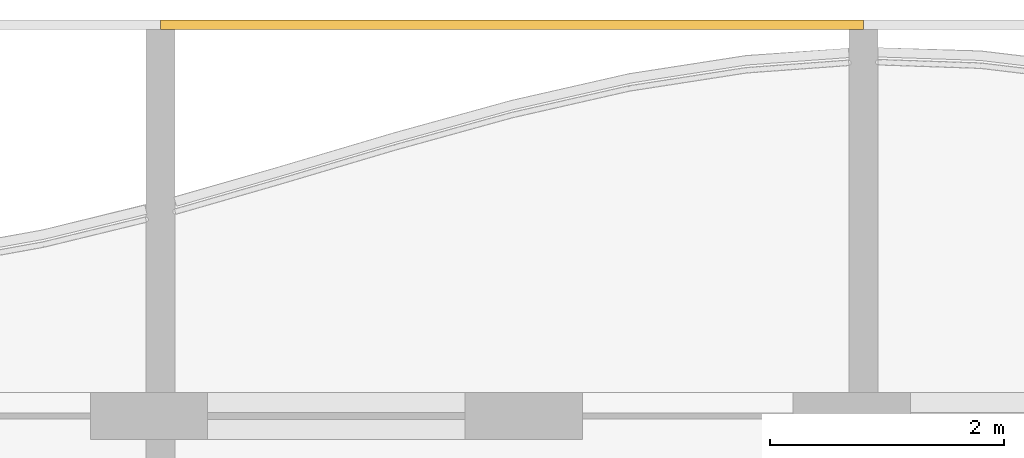
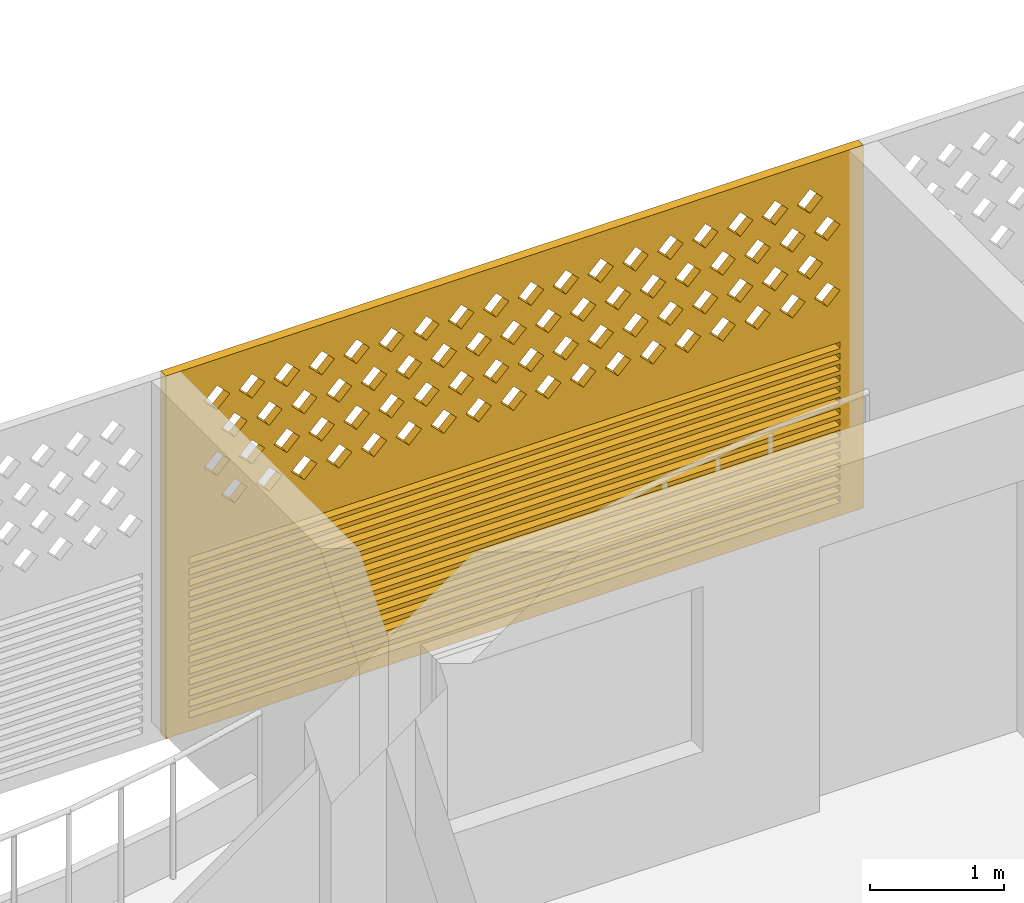
# One storey, part 21 of 29: 1 covering.
"""IFC4 building model written with IfcOpenShell, lengths in metres."""

from ifc_helpers import new_model, si_unit, direction, frame, origin, place, context, subcontext, project, spatial, polyline, outline, extrude, source, transform, mapped, material, material_profile, profile_set, type_object, element, save


model = new_model("IFC4")

# Units and contexts
model_context = context("Model", 3, precision=1e-05, world=origin(), true_north=direction((0.0, 1.0)))
body_context = subcontext(model_context, "Body", "Model", "MODEL_VIEW")
ifc_project = project(units=[si_unit("LENGTHUNIT", "METRE"), si_unit("AREAUNIT", "SQUARE_METRE"), si_unit("VOLUMEUNIT", "CUBIC_METRE"), si_unit("PLANEANGLEUNIT", "RADIAN"), si_unit("MASSUNIT", "GRAM", prefix="KILO")], contexts=[model_context])

# Site, building, storey
site_placement = place(None, origin())
site = spatial("IfcSite", under=ifc_project, at=site_placement, CompositionType="ELEMENT")
building_placement = place(site_placement, origin())
building = spatial("IfcBuilding", under=site, at=building_placement, Name="Poui Terraces", CompositionType="ELEMENT")
storey_placement = place(building_placement, frame((0.0, 0.0, 234.60009765625)))
storey = spatial("IfcBuildingStorey", under=building, at=storey_placement, Name="L65", CompositionType="ELEMENT", Elevation=234.60009765625)

# Covering
ifc_material = material(Name="Terracotta screen", Category="masonry")
ifc_material_profile = material_profile(ifc_material, outline(polyline([(-3.0, -1.64990234375), (3.0, -1.64990234375), (3.0, 1.64990234375), (-3.0, 1.64990234375), (-3.0, -1.64990234375)]), holes=[polyline([(-2.800048828125, 0.39990234375), (-2.68994140625, 0.2900390625), (-2.580078125, 0.39990234375), (-2.68994140625, 0.510009765625), (-2.800048828125, 0.39990234375)]), polyline([(-2.5, 0.39990234375), (-2.389892578125, 0.2900390625), (-2.280029296875, 0.39990234375), (-2.389892578125, 0.510009765625), (-2.5, 0.39990234375)]), polyline([(-2.199951171875, 0.39990234375), (-2.090087890625, 0.2900390625), (-1.97998046875, 0.39990234375), (-2.090087890625, 0.510009765625), (-2.199951171875, 0.39990234375)]), polyline([(-1.89990234375, 0.39990234375), (-1.7900390625, 0.2900390625), (-1.679931640625, 0.39990234375), (-1.7900390625, 0.510009765625), (-1.89990234375, 0.39990234375)]), polyline([(-1.60009765625, 0.39990234375), (-1.489990234375, 0.2900390625), (-1.3798828125, 0.39990234375), (-1.489990234375, 0.510009765625), (-1.60009765625, 0.39990234375)]), polyline([(-1.300048828125, 0.39990234375), (-1.18994140625, 0.2900390625), (-1.080078125, 0.39990234375), (-1.18994140625, 0.510009765625), (-1.300048828125, 0.39990234375)]), polyline([(-1.0, 0.39990234375), (-0.889892578125, 0.2900390625), (-0.780029296875, 0.39990234375), (-0.889892578125, 0.510009765625), (-1.0, 0.39990234375)]), polyline([(-0.699951171875, 0.39990234375), (-0.590087890625, 0.2900390625), (-0.47998046875, 0.39990234375), (-0.590087890625, 0.510009765625), (-0.699951171875, 0.39990234375)]), polyline([(-0.39990234375, 0.39990234375), (-0.2900390625, 0.2900390625), (-0.179931640625, 0.39990234375), (-0.2900390625, 0.510009765625), (-0.39990234375, 0.39990234375)]), polyline([(-0.10009765625, 0.39990234375), (0.010009765625, 0.2900390625), (0.1201171875, 0.39990234375), (0.010009765625, 0.510009765625), (-0.10009765625, 0.39990234375)]), polyline([(0.199951171875, 0.39990234375), (0.31005859375, 0.2900390625), (0.419921875, 0.39990234375), (0.31005859375, 0.510009765625), (0.199951171875, 0.39990234375)]), polyline([(0.5, 0.39990234375), (0.610107421875, 0.2900390625), (0.719970703125, 0.39990234375), (0.610107421875, 0.510009765625), (0.5, 0.39990234375)]), polyline([(0.800048828125, 0.39990234375), (0.909912109375, 0.2900390625), (1.02001953125, 0.39990234375), (0.909912109375, 0.510009765625), (0.800048828125, 0.39990234375)]), polyline([(1.10009765625, 0.39990234375), (1.2099609375, 0.2900390625), (1.320068359375, 0.39990234375), (1.2099609375, 0.510009765625), (1.10009765625, 0.39990234375)]), polyline([(1.39990234375, 0.39990234375), (1.510009765625, 0.2900390625), (1.6201171875, 0.39990234375), (1.510009765625, 0.510009765625), (1.39990234375, 0.39990234375)]), polyline([(1.699951171875, 0.39990234375), (1.81005859375, 0.2900390625), (1.919921875, 0.39990234375), (1.81005859375, 0.510009765625), (1.699951171875, 0.39990234375)]), polyline([(2.0, 0.39990234375), (2.110107421875, 0.2900390625), (2.219970703125, 0.39990234375), (2.110107421875, 0.510009765625), (2.0, 0.39990234375)]), polyline([(2.300048828125, 0.39990234375), (2.409912109375, 0.2900390625), (2.52001953125, 0.39990234375), (2.409912109375, 0.510009765625), (2.300048828125, 0.39990234375)]), polyline([(-2.64990234375, 0.699951171875), (-2.5400390625, 0.590087890625), (-2.429931640625, 0.699951171875), (-2.5400390625, 0.81005859375), (-2.64990234375, 0.699951171875)]), polyline([(-2.35009765625, 0.699951171875), (-2.239990234375, 0.590087890625), (-2.1298828125, 0.699951171875), (-2.239990234375, 0.81005859375), (-2.35009765625, 0.699951171875)]), polyline([(-2.050048828125, 0.699951171875), (-1.93994140625, 0.590087890625), (-1.830078125, 0.699951171875), (-1.93994140625, 0.81005859375), (-2.050048828125, 0.699951171875)]), polyline([(-1.75, 0.699951171875), (-1.639892578125, 0.590087890625), (-1.530029296875, 0.699951171875), (-1.639892578125, 0.81005859375), (-1.75, 0.699951171875)]), polyline([(-1.449951171875, 0.699951171875), (-1.340087890625, 0.590087890625), (-1.22998046875, 0.699951171875), (-1.340087890625, 0.81005859375), (-1.449951171875, 0.699951171875)]), polyline([(-1.14990234375, 0.699951171875), (-1.0400390625, 0.590087890625), (-0.929931640625, 0.699951171875), (-1.0400390625, 0.81005859375), (-1.14990234375, 0.699951171875)]), polyline([(-0.85009765625, 0.699951171875), (-0.739990234375, 0.590087890625), (-0.6298828125, 0.699951171875), (-0.739990234375, 0.81005859375), (-0.85009765625, 0.699951171875)]), polyline([(-0.550048828125, 0.699951171875), (-0.43994140625, 0.590087890625), (-0.330078125, 0.699951171875), (-0.43994140625, 0.81005859375), (-0.550048828125, 0.699951171875)]), polyline([(-0.25, 0.699951171875), (-0.139892578125, 0.590087890625), (-0.030029296875, 0.699951171875), (-0.139892578125, 0.81005859375), (-0.25, 0.699951171875)]), polyline([(0.050048828125, 0.699951171875), (0.159912109375, 0.590087890625), (0.27001953125, 0.699951171875), (0.159912109375, 0.81005859375), (0.050048828125, 0.699951171875)]), polyline([(0.35009765625, 0.699951171875), (0.4599609375, 0.590087890625), (0.570068359375, 0.699951171875), (0.4599609375, 0.81005859375), (0.35009765625, 0.699951171875)]), polyline([(0.64990234375, 0.699951171875), (0.760009765625, 0.590087890625), (0.8701171875, 0.699951171875), (0.760009765625, 0.81005859375), (0.64990234375, 0.699951171875)]), polyline([(0.949951171875, 0.699951171875), (1.06005859375, 0.590087890625), (1.169921875, 0.699951171875), (1.06005859375, 0.81005859375), (0.949951171875, 0.699951171875)]), polyline([(1.25, 0.699951171875), (1.360107421875, 0.590087890625), (1.469970703125, 0.699951171875), (1.360107421875, 0.81005859375), (1.25, 0.699951171875)]), polyline([(1.550048828125, 0.699951171875), (1.659912109375, 0.590087890625), (1.77001953125, 0.699951171875), (1.659912109375, 0.81005859375), (1.550048828125, 0.699951171875)]), polyline([(1.85009765625, 0.699951171875), (1.9599609375, 0.590087890625), (2.070068359375, 0.699951171875), (1.9599609375, 0.81005859375), (1.85009765625, 0.699951171875)]), polyline([(2.14990234375, 0.699951171875), (2.260009765625, 0.590087890625), (2.3701171875, 0.699951171875), (2.260009765625, 0.81005859375), (2.14990234375, 0.699951171875)]), polyline([(2.449951171875, 0.699951171875), (2.56005859375, 0.590087890625), (2.669921875, 0.699951171875), (2.56005859375, 0.81005859375), (2.449951171875, 0.699951171875)]), polyline([(-2.800048828125, 1.0), (-2.68994140625, 0.889892578125), (-2.580078125, 1.0), (-2.68994140625, 1.110107421875), (-2.800048828125, 1.0)]), polyline([(-2.5, 1.0), (-2.389892578125, 0.889892578125), (-2.280029296875, 1.0), (-2.389892578125, 1.110107421875), (-2.5, 1.0)]), polyline([(-2.199951171875, 1.0), (-2.090087890625, 0.889892578125), (-1.97998046875, 1.0), (-2.090087890625, 1.110107421875), (-2.199951171875, 1.0)]), polyline([(-1.89990234375, 1.0), (-1.7900390625, 0.889892578125), (-1.679931640625, 1.0), (-1.7900390625, 1.110107421875), (-1.89990234375, 1.0)]), polyline([(-1.60009765625, 1.0), (-1.489990234375, 0.889892578125), (-1.3798828125, 1.0), (-1.489990234375, 1.110107421875), (-1.60009765625, 1.0)]), polyline([(-1.300048828125, 1.0), (-1.18994140625, 0.889892578125), (-1.080078125, 1.0), (-1.18994140625, 1.110107421875), (-1.300048828125, 1.0)]), polyline([(-1.0, 1.0), (-0.889892578125, 0.889892578125), (-0.780029296875, 1.0), (-0.889892578125, 1.110107421875), (-1.0, 1.0)]), polyline([(-0.699951171875, 1.0), (-0.590087890625, 0.889892578125), (-0.47998046875, 1.0), (-0.590087890625, 1.110107421875), (-0.699951171875, 1.0)]), polyline([(-0.39990234375, 1.0), (-0.2900390625, 0.889892578125), (-0.179931640625, 1.0), (-0.2900390625, 1.110107421875), (-0.39990234375, 1.0)]), polyline([(-0.10009765625, 1.0), (0.010009765625, 0.889892578125), (0.1201171875, 1.0), (0.010009765625, 1.110107421875), (-0.10009765625, 1.0)]), polyline([(0.199951171875, 1.0), (0.31005859375, 0.889892578125), (0.419921875, 1.0), (0.31005859375, 1.110107421875), (0.199951171875, 1.0)]), polyline([(0.5, 1.0), (0.610107421875, 0.889892578125), (0.719970703125, 1.0), (0.610107421875, 1.110107421875), (0.5, 1.0)]), polyline([(0.800048828125, 1.0), (0.909912109375, 0.889892578125), (1.02001953125, 1.0), (0.909912109375, 1.110107421875), (0.800048828125, 1.0)]), polyline([(1.10009765625, 1.0), (1.2099609375, 0.889892578125), (1.320068359375, 1.0), (1.2099609375, 1.110107421875), (1.10009765625, 1.0)]), polyline([(1.39990234375, 1.0), (1.510009765625, 0.889892578125), (1.6201171875, 1.0), (1.510009765625, 1.110107421875), (1.39990234375, 1.0)]), polyline([(1.699951171875, 1.0), (1.81005859375, 0.889892578125), (1.919921875, 1.0), (1.81005859375, 1.110107421875), (1.699951171875, 1.0)]), polyline([(2.0, 1.0), (2.110107421875, 0.889892578125), (2.219970703125, 1.0), (2.110107421875, 1.110107421875), (2.0, 1.0)]), polyline([(2.300048828125, 1.0), (2.409912109375, 0.889892578125), (2.52001953125, 1.0), (2.409912109375, 1.110107421875), (2.300048828125, 1.0)]), polyline([(-2.64990234375, 1.300048828125), (-2.5400390625, 1.18994140625), (-2.429931640625, 1.300048828125), (-2.5400390625, 1.409912109375), (-2.64990234375, 1.300048828125)]), polyline([(-2.35009765625, 1.300048828125), (-2.239990234375, 1.18994140625), (-2.1298828125, 1.300048828125), (-2.239990234375, 1.409912109375), (-2.35009765625, 1.300048828125)]), polyline([(-2.050048828125, 1.300048828125), (-1.93994140625, 1.18994140625), (-1.830078125, 1.300048828125), (-1.93994140625, 1.409912109375), (-2.050048828125, 1.300048828125)]), polyline([(-1.75, 1.300048828125), (-1.639892578125, 1.18994140625), (-1.530029296875, 1.300048828125), (-1.639892578125, 1.409912109375), (-1.75, 1.300048828125)]), polyline([(-1.449951171875, 1.300048828125), (-1.340087890625, 1.18994140625), (-1.22998046875, 1.300048828125), (-1.340087890625, 1.409912109375), (-1.449951171875, 1.300048828125)]), polyline([(-1.14990234375, 1.300048828125), (-1.0400390625, 1.18994140625), (-0.929931640625, 1.300048828125), (-1.0400390625, 1.409912109375), (-1.14990234375, 1.300048828125)]), polyline([(-0.85009765625, 1.300048828125), (-0.739990234375, 1.18994140625), (-0.6298828125, 1.300048828125), (-0.739990234375, 1.409912109375), (-0.85009765625, 1.300048828125)]), polyline([(-0.550048828125, 1.300048828125), (-0.43994140625, 1.18994140625), (-0.330078125, 1.300048828125), (-0.43994140625, 1.409912109375), (-0.550048828125, 1.300048828125)]), polyline([(-0.25, 1.300048828125), (-0.139892578125, 1.18994140625), (-0.030029296875, 1.300048828125), (-0.139892578125, 1.409912109375), (-0.25, 1.300048828125)]), polyline([(0.050048828125, 1.300048828125), (0.159912109375, 1.18994140625), (0.27001953125, 1.300048828125), (0.159912109375, 1.409912109375), (0.050048828125, 1.300048828125)]), polyline([(0.35009765625, 1.300048828125), (0.4599609375, 1.18994140625), (0.570068359375, 1.300048828125), (0.4599609375, 1.409912109375), (0.35009765625, 1.300048828125)]), polyline([(0.64990234375, 1.300048828125), (0.760009765625, 1.18994140625), (0.8701171875, 1.300048828125), (0.760009765625, 1.409912109375), (0.64990234375, 1.300048828125)]), polyline([(0.949951171875, 1.300048828125), (1.06005859375, 1.18994140625), (1.169921875, 1.300048828125), (1.06005859375, 1.409912109375), (0.949951171875, 1.300048828125)]), polyline([(1.25, 1.300048828125), (1.360107421875, 1.18994140625), (1.469970703125, 1.300048828125), (1.360107421875, 1.409912109375), (1.25, 1.300048828125)]), polyline([(1.550048828125, 1.300048828125), (1.659912109375, 1.18994140625), (1.77001953125, 1.300048828125), (1.659912109375, 1.409912109375), (1.550048828125, 1.300048828125)]), polyline([(1.85009765625, 1.300048828125), (1.9599609375, 1.18994140625), (2.070068359375, 1.300048828125), (1.9599609375, 1.409912109375), (1.85009765625, 1.300048828125)]), polyline([(2.14990234375, 1.300048828125), (2.260009765625, 1.18994140625), (2.3701171875, 1.300048828125), (2.260009765625, 1.409912109375), (2.14990234375, 1.300048828125)]), polyline([(2.449951171875, 1.300048828125), (2.56005859375, 1.18994140625), (2.669921875, 1.300048828125), (2.56005859375, 1.409912109375), (2.449951171875, 1.300048828125)]), polyline([(-2.800048828125, -1.530029296875), (2.800048828125, -1.530029296875), (2.800048828125, -1.469970703125), (-2.800048828125, -1.469970703125), (-2.800048828125, -1.530029296875)]), polyline([(-2.800048828125, -1.429931640625), (2.800048828125, -1.429931640625), (2.800048828125, -1.3701171875), (-2.800048828125, -1.3701171875), (-2.800048828125, -1.429931640625)]), polyline([(-2.800048828125, -1.330078125), (2.800048828125, -1.330078125), (2.800048828125, -1.27001953125), (-2.800048828125, -1.27001953125), (-2.800048828125, -1.330078125)]), polyline([(-2.800048828125, -1.22998046875), (2.800048828125, -1.22998046875), (2.800048828125, -1.169921875), (-2.800048828125, -1.169921875), (-2.800048828125, -1.22998046875)]), polyline([(-2.800048828125, -1.1298828125), (2.800048828125, -1.1298828125), (2.800048828125, -1.070068359375), (-2.800048828125, -1.070068359375), (-2.800048828125, -1.1298828125)]), polyline([(-2.800048828125, -1.030029296875), (2.800048828125, -1.030029296875), (2.800048828125, -0.969970703125), (-2.800048828125, -0.969970703125), (-2.800048828125, -1.030029296875)]), polyline([(-2.800048828125, -0.929931640625), (2.800048828125, -0.929931640625), (2.800048828125, -0.8701171875), (-2.800048828125, -0.8701171875), (-2.800048828125, -0.929931640625)]), polyline([(-2.800048828125, -0.830078125), (2.800048828125, -0.830078125), (2.800048828125, -0.77001953125), (-2.800048828125, -0.77001953125), (-2.800048828125, -0.830078125)]), polyline([(-2.800048828125, -0.72998046875), (2.800048828125, -0.72998046875), (2.800048828125, -0.669921875), (-2.800048828125, -0.669921875), (-2.800048828125, -0.72998046875)]), polyline([(-2.800048828125, -0.6298828125), (2.800048828125, -0.6298828125), (2.800048828125, -0.570068359375), (-2.800048828125, -0.570068359375), (-2.800048828125, -0.6298828125)]), polyline([(-2.800048828125, -0.530029296875), (2.800048828125, -0.530029296875), (2.800048828125, -0.469970703125), (-2.800048828125, -0.469970703125), (-2.800048828125, -0.530029296875)]), polyline([(-2.800048828125, -0.429931640625), (2.800048828125, -0.429931640625), (2.800048828125, -0.3701171875), (-2.800048828125, -0.3701171875), (-2.800048828125, -0.429931640625)]), polyline([(-2.800048828125, -0.330078125), (2.800048828125, -0.330078125), (2.800048828125, -0.27001953125), (-2.800048828125, -0.27001953125), (-2.800048828125, -0.330078125)]), polyline([(-2.800048828125, -0.22998046875), (2.800048828125, -0.22998046875), (2.800048828125, -0.169921875), (-2.800048828125, -0.169921875), (-2.800048828125, -0.22998046875)]), polyline([(-2.800048828125, -0.1298828125), (2.800048828125, -0.1298828125), (2.800048828125, -0.070068359375), (-2.800048828125, -0.070068359375), (-2.800048828125, -0.1298828125)])]), Name="TERRACOTTA SCREEN AND JALOUSIE LOUVRE 6000X3300")
ifc_profile_set = profile_set([ifc_material_profile], Name="Terracotta screen")
covering_type = type_object("IfcCoveringType", Name="TERRACOTTA SCREEN AND JALOUSIE LOUVRE 6000X3300", PredefinedType="CLADDING", material=ifc_profile_set)
shared_shape = source(origin(), body_context, "Body", "SweptSolid", [
    extrude(outline(polyline([(-3.0, -1.64990234375), (3.0, -1.64990234375), (3.0, 1.64990234375), (-3.0, 1.64990234375), (-3.0, -1.64990234375)]), holes=[polyline([(-2.800048828125, 0.39990234375), (-2.68994140625, 0.2900390625), (-2.580078125, 0.39990234375), (-2.68994140625, 0.510009765625), (-2.800048828125, 0.39990234375)]), polyline([(-2.5, 0.39990234375), (-2.389892578125, 0.2900390625), (-2.280029296875, 0.39990234375), (-2.389892578125, 0.510009765625), (-2.5, 0.39990234375)]), polyline([(-2.199951171875, 0.39990234375), (-2.090087890625, 0.2900390625), (-1.97998046875, 0.39990234375), (-2.090087890625, 0.510009765625), (-2.199951171875, 0.39990234375)]), polyline([(-1.89990234375, 0.39990234375), (-1.7900390625, 0.2900390625), (-1.679931640625, 0.39990234375), (-1.7900390625, 0.510009765625), (-1.89990234375, 0.39990234375)]), polyline([(-1.60009765625, 0.39990234375), (-1.489990234375, 0.2900390625), (-1.3798828125, 0.39990234375), (-1.489990234375, 0.510009765625), (-1.60009765625, 0.39990234375)]), polyline([(-1.300048828125, 0.39990234375), (-1.18994140625, 0.2900390625), (-1.080078125, 0.39990234375), (-1.18994140625, 0.510009765625), (-1.300048828125, 0.39990234375)]), polyline([(-1.0, 0.39990234375), (-0.889892578125, 0.2900390625), (-0.780029296875, 0.39990234375), (-0.889892578125, 0.510009765625), (-1.0, 0.39990234375)]), polyline([(-0.699951171875, 0.39990234375), (-0.590087890625, 0.2900390625), (-0.47998046875, 0.39990234375), (-0.590087890625, 0.510009765625), (-0.699951171875, 0.39990234375)]), polyline([(-0.39990234375, 0.39990234375), (-0.2900390625, 0.2900390625), (-0.179931640625, 0.39990234375), (-0.2900390625, 0.510009765625), (-0.39990234375, 0.39990234375)]), polyline([(-0.10009765625, 0.39990234375), (0.010009765625, 0.2900390625), (0.1201171875, 0.39990234375), (0.010009765625, 0.510009765625), (-0.10009765625, 0.39990234375)]), polyline([(0.199951171875, 0.39990234375), (0.31005859375, 0.2900390625), (0.419921875, 0.39990234375), (0.31005859375, 0.510009765625), (0.199951171875, 0.39990234375)]), polyline([(0.5, 0.39990234375), (0.610107421875, 0.2900390625), (0.719970703125, 0.39990234375), (0.610107421875, 0.510009765625), (0.5, 0.39990234375)]), polyline([(0.800048828125, 0.39990234375), (0.909912109375, 0.2900390625), (1.02001953125, 0.39990234375), (0.909912109375, 0.510009765625), (0.800048828125, 0.39990234375)]), polyline([(1.10009765625, 0.39990234375), (1.2099609375, 0.2900390625), (1.320068359375, 0.39990234375), (1.2099609375, 0.510009765625), (1.10009765625, 0.39990234375)]), polyline([(1.39990234375, 0.39990234375), (1.510009765625, 0.2900390625), (1.6201171875, 0.39990234375), (1.510009765625, 0.510009765625), (1.39990234375, 0.39990234375)]), polyline([(1.699951171875, 0.39990234375), (1.81005859375, 0.2900390625), (1.919921875, 0.39990234375), (1.81005859375, 0.510009765625), (1.699951171875, 0.39990234375)]), polyline([(2.0, 0.39990234375), (2.110107421875, 0.2900390625), (2.219970703125, 0.39990234375), (2.110107421875, 0.510009765625), (2.0, 0.39990234375)]), polyline([(2.300048828125, 0.39990234375), (2.409912109375, 0.2900390625), (2.52001953125, 0.39990234375), (2.409912109375, 0.510009765625), (2.300048828125, 0.39990234375)]), polyline([(-2.64990234375, 0.699951171875), (-2.5400390625, 0.590087890625), (-2.429931640625, 0.699951171875), (-2.5400390625, 0.81005859375), (-2.64990234375, 0.699951171875)]), polyline([(-2.35009765625, 0.699951171875), (-2.239990234375, 0.590087890625), (-2.1298828125, 0.699951171875), (-2.239990234375, 0.81005859375), (-2.35009765625, 0.699951171875)]), polyline([(-2.050048828125, 0.699951171875), (-1.93994140625, 0.590087890625), (-1.830078125, 0.699951171875), (-1.93994140625, 0.81005859375), (-2.050048828125, 0.699951171875)]), polyline([(-1.75, 0.699951171875), (-1.639892578125, 0.590087890625), (-1.530029296875, 0.699951171875), (-1.639892578125, 0.81005859375), (-1.75, 0.699951171875)]), polyline([(-1.449951171875, 0.699951171875), (-1.340087890625, 0.590087890625), (-1.22998046875, 0.699951171875), (-1.340087890625, 0.81005859375), (-1.449951171875, 0.699951171875)]), polyline([(-1.14990234375, 0.699951171875), (-1.0400390625, 0.590087890625), (-0.929931640625, 0.699951171875), (-1.0400390625, 0.81005859375), (-1.14990234375, 0.699951171875)]), polyline([(-0.85009765625, 0.699951171875), (-0.739990234375, 0.590087890625), (-0.6298828125, 0.699951171875), (-0.739990234375, 0.81005859375), (-0.85009765625, 0.699951171875)]), polyline([(-0.550048828125, 0.699951171875), (-0.43994140625, 0.590087890625), (-0.330078125, 0.699951171875), (-0.43994140625, 0.81005859375), (-0.550048828125, 0.699951171875)]), polyline([(-0.25, 0.699951171875), (-0.139892578125, 0.590087890625), (-0.030029296875, 0.699951171875), (-0.139892578125, 0.81005859375), (-0.25, 0.699951171875)]), polyline([(0.050048828125, 0.699951171875), (0.159912109375, 0.590087890625), (0.27001953125, 0.699951171875), (0.159912109375, 0.81005859375), (0.050048828125, 0.699951171875)]), polyline([(0.35009765625, 0.699951171875), (0.4599609375, 0.590087890625), (0.570068359375, 0.699951171875), (0.4599609375, 0.81005859375), (0.35009765625, 0.699951171875)]), polyline([(0.64990234375, 0.699951171875), (0.760009765625, 0.590087890625), (0.8701171875, 0.699951171875), (0.760009765625, 0.81005859375), (0.64990234375, 0.699951171875)]), polyline([(0.949951171875, 0.699951171875), (1.06005859375, 0.590087890625), (1.169921875, 0.699951171875), (1.06005859375, 0.81005859375), (0.949951171875, 0.699951171875)]), polyline([(1.25, 0.699951171875), (1.360107421875, 0.590087890625), (1.469970703125, 0.699951171875), (1.360107421875, 0.81005859375), (1.25, 0.699951171875)]), polyline([(1.550048828125, 0.699951171875), (1.659912109375, 0.590087890625), (1.77001953125, 0.699951171875), (1.659912109375, 0.81005859375), (1.550048828125, 0.699951171875)]), polyline([(1.85009765625, 0.699951171875), (1.9599609375, 0.590087890625), (2.070068359375, 0.699951171875), (1.9599609375, 0.81005859375), (1.85009765625, 0.699951171875)]), polyline([(2.14990234375, 0.699951171875), (2.260009765625, 0.590087890625), (2.3701171875, 0.699951171875), (2.260009765625, 0.81005859375), (2.14990234375, 0.699951171875)]), polyline([(2.449951171875, 0.699951171875), (2.56005859375, 0.590087890625), (2.669921875, 0.699951171875), (2.56005859375, 0.81005859375), (2.449951171875, 0.699951171875)]), polyline([(-2.800048828125, 1.0), (-2.68994140625, 0.889892578125), (-2.580078125, 1.0), (-2.68994140625, 1.110107421875), (-2.800048828125, 1.0)]), polyline([(-2.5, 1.0), (-2.389892578125, 0.889892578125), (-2.280029296875, 1.0), (-2.389892578125, 1.110107421875), (-2.5, 1.0)]), polyline([(-2.199951171875, 1.0), (-2.090087890625, 0.889892578125), (-1.97998046875, 1.0), (-2.090087890625, 1.110107421875), (-2.199951171875, 1.0)]), polyline([(-1.89990234375, 1.0), (-1.7900390625, 0.889892578125), (-1.679931640625, 1.0), (-1.7900390625, 1.110107421875), (-1.89990234375, 1.0)]), polyline([(-1.60009765625, 1.0), (-1.489990234375, 0.889892578125), (-1.3798828125, 1.0), (-1.489990234375, 1.110107421875), (-1.60009765625, 1.0)]), polyline([(-1.300048828125, 1.0), (-1.18994140625, 0.889892578125), (-1.080078125, 1.0), (-1.18994140625, 1.110107421875), (-1.300048828125, 1.0)]), polyline([(-1.0, 1.0), (-0.889892578125, 0.889892578125), (-0.780029296875, 1.0), (-0.889892578125, 1.110107421875), (-1.0, 1.0)]), polyline([(-0.699951171875, 1.0), (-0.590087890625, 0.889892578125), (-0.47998046875, 1.0), (-0.590087890625, 1.110107421875), (-0.699951171875, 1.0)]), polyline([(-0.39990234375, 1.0), (-0.2900390625, 0.889892578125), (-0.179931640625, 1.0), (-0.2900390625, 1.110107421875), (-0.39990234375, 1.0)]), polyline([(-0.10009765625, 1.0), (0.010009765625, 0.889892578125), (0.1201171875, 1.0), (0.010009765625, 1.110107421875), (-0.10009765625, 1.0)]), polyline([(0.199951171875, 1.0), (0.31005859375, 0.889892578125), (0.419921875, 1.0), (0.31005859375, 1.110107421875), (0.199951171875, 1.0)]), polyline([(0.5, 1.0), (0.610107421875, 0.889892578125), (0.719970703125, 1.0), (0.610107421875, 1.110107421875), (0.5, 1.0)]), polyline([(0.800048828125, 1.0), (0.909912109375, 0.889892578125), (1.02001953125, 1.0), (0.909912109375, 1.110107421875), (0.800048828125, 1.0)]), polyline([(1.10009765625, 1.0), (1.2099609375, 0.889892578125), (1.320068359375, 1.0), (1.2099609375, 1.110107421875), (1.10009765625, 1.0)]), polyline([(1.39990234375, 1.0), (1.510009765625, 0.889892578125), (1.6201171875, 1.0), (1.510009765625, 1.110107421875), (1.39990234375, 1.0)]), polyline([(1.699951171875, 1.0), (1.81005859375, 0.889892578125), (1.919921875, 1.0), (1.81005859375, 1.110107421875), (1.699951171875, 1.0)]), polyline([(2.0, 1.0), (2.110107421875, 0.889892578125), (2.219970703125, 1.0), (2.110107421875, 1.110107421875), (2.0, 1.0)]), polyline([(2.300048828125, 1.0), (2.409912109375, 0.889892578125), (2.52001953125, 1.0), (2.409912109375, 1.110107421875), (2.300048828125, 1.0)]), polyline([(-2.64990234375, 1.300048828125), (-2.5400390625, 1.18994140625), (-2.429931640625, 1.300048828125), (-2.5400390625, 1.409912109375), (-2.64990234375, 1.300048828125)]), polyline([(-2.35009765625, 1.300048828125), (-2.239990234375, 1.18994140625), (-2.1298828125, 1.300048828125), (-2.239990234375, 1.409912109375), (-2.35009765625, 1.300048828125)]), polyline([(-2.050048828125, 1.300048828125), (-1.93994140625, 1.18994140625), (-1.830078125, 1.300048828125), (-1.93994140625, 1.409912109375), (-2.050048828125, 1.300048828125)]), polyline([(-1.75, 1.300048828125), (-1.639892578125, 1.18994140625), (-1.530029296875, 1.300048828125), (-1.639892578125, 1.409912109375), (-1.75, 1.300048828125)]), polyline([(-1.449951171875, 1.300048828125), (-1.340087890625, 1.18994140625), (-1.22998046875, 1.300048828125), (-1.340087890625, 1.409912109375), (-1.449951171875, 1.300048828125)]), polyline([(-1.14990234375, 1.300048828125), (-1.0400390625, 1.18994140625), (-0.929931640625, 1.300048828125), (-1.0400390625, 1.409912109375), (-1.14990234375, 1.300048828125)]), polyline([(-0.85009765625, 1.300048828125), (-0.739990234375, 1.18994140625), (-0.6298828125, 1.300048828125), (-0.739990234375, 1.409912109375), (-0.85009765625, 1.300048828125)]), polyline([(-0.550048828125, 1.300048828125), (-0.43994140625, 1.18994140625), (-0.330078125, 1.300048828125), (-0.43994140625, 1.409912109375), (-0.550048828125, 1.300048828125)]), polyline([(-0.25, 1.300048828125), (-0.139892578125, 1.18994140625), (-0.030029296875, 1.300048828125), (-0.139892578125, 1.409912109375), (-0.25, 1.300048828125)]), polyline([(0.050048828125, 1.300048828125), (0.159912109375, 1.18994140625), (0.27001953125, 1.300048828125), (0.159912109375, 1.409912109375), (0.050048828125, 1.300048828125)]), polyline([(0.35009765625, 1.300048828125), (0.4599609375, 1.18994140625), (0.570068359375, 1.300048828125), (0.4599609375, 1.409912109375), (0.35009765625, 1.300048828125)]), polyline([(0.64990234375, 1.300048828125), (0.760009765625, 1.18994140625), (0.8701171875, 1.300048828125), (0.760009765625, 1.409912109375), (0.64990234375, 1.300048828125)]), polyline([(0.949951171875, 1.300048828125), (1.06005859375, 1.18994140625), (1.169921875, 1.300048828125), (1.06005859375, 1.409912109375), (0.949951171875, 1.300048828125)]), polyline([(1.25, 1.300048828125), (1.360107421875, 1.18994140625), (1.469970703125, 1.300048828125), (1.360107421875, 1.409912109375), (1.25, 1.300048828125)]), polyline([(1.550048828125, 1.300048828125), (1.659912109375, 1.18994140625), (1.77001953125, 1.300048828125), (1.659912109375, 1.409912109375), (1.550048828125, 1.300048828125)]), polyline([(1.85009765625, 1.300048828125), (1.9599609375, 1.18994140625), (2.070068359375, 1.300048828125), (1.9599609375, 1.409912109375), (1.85009765625, 1.300048828125)]), polyline([(2.14990234375, 1.300048828125), (2.260009765625, 1.18994140625), (2.3701171875, 1.300048828125), (2.260009765625, 1.409912109375), (2.14990234375, 1.300048828125)]), polyline([(2.449951171875, 1.300048828125), (2.56005859375, 1.18994140625), (2.669921875, 1.300048828125), (2.56005859375, 1.409912109375), (2.449951171875, 1.300048828125)]), polyline([(-2.800048828125, -1.530029296875), (2.800048828125, -1.530029296875), (2.800048828125, -1.469970703125), (-2.800048828125, -1.469970703125), (-2.800048828125, -1.530029296875)]), polyline([(-2.800048828125, -1.429931640625), (2.800048828125, -1.429931640625), (2.800048828125, -1.3701171875), (-2.800048828125, -1.3701171875), (-2.800048828125, -1.429931640625)]), polyline([(-2.800048828125, -1.330078125), (2.800048828125, -1.330078125), (2.800048828125, -1.27001953125), (-2.800048828125, -1.27001953125), (-2.800048828125, -1.330078125)]), polyline([(-2.800048828125, -1.22998046875), (2.800048828125, -1.22998046875), (2.800048828125, -1.169921875), (-2.800048828125, -1.169921875), (-2.800048828125, -1.22998046875)]), polyline([(-2.800048828125, -1.1298828125), (2.800048828125, -1.1298828125), (2.800048828125, -1.070068359375), (-2.800048828125, -1.070068359375), (-2.800048828125, -1.1298828125)]), polyline([(-2.800048828125, -1.030029296875), (2.800048828125, -1.030029296875), (2.800048828125, -0.969970703125), (-2.800048828125, -0.969970703125), (-2.800048828125, -1.030029296875)]), polyline([(-2.800048828125, -0.929931640625), (2.800048828125, -0.929931640625), (2.800048828125, -0.8701171875), (-2.800048828125, -0.8701171875), (-2.800048828125, -0.929931640625)]), polyline([(-2.800048828125, -0.830078125), (2.800048828125, -0.830078125), (2.800048828125, -0.77001953125), (-2.800048828125, -0.77001953125), (-2.800048828125, -0.830078125)]), polyline([(-2.800048828125, -0.72998046875), (2.800048828125, -0.72998046875), (2.800048828125, -0.669921875), (-2.800048828125, -0.669921875), (-2.800048828125, -0.72998046875)]), polyline([(-2.800048828125, -0.6298828125), (2.800048828125, -0.6298828125), (2.800048828125, -0.570068359375), (-2.800048828125, -0.570068359375), (-2.800048828125, -0.6298828125)]), polyline([(-2.800048828125, -0.530029296875), (2.800048828125, -0.530029296875), (2.800048828125, -0.469970703125), (-2.800048828125, -0.469970703125), (-2.800048828125, -0.530029296875)]), polyline([(-2.800048828125, -0.429931640625), (2.800048828125, -0.429931640625), (2.800048828125, -0.3701171875), (-2.800048828125, -0.3701171875), (-2.800048828125, -0.429931640625)]), polyline([(-2.800048828125, -0.330078125), (2.800048828125, -0.330078125), (2.800048828125, -0.27001953125), (-2.800048828125, -0.27001953125), (-2.800048828125, -0.330078125)]), polyline([(-2.800048828125, -0.22998046875), (2.800048828125, -0.22998046875), (2.800048828125, -0.169921875), (-2.800048828125, -0.169921875), (-2.800048828125, -0.22998046875)]), polyline([(-2.800048828125, -0.1298828125), (2.800048828125, -0.1298828125), (2.800048828125, -0.070068359375), (-2.800048828125, -0.070068359375), (-2.800048828125, -0.1298828125)])]), origin(), (0.0, 0.0, 1.0), 0.080078125),
])
covering_placement = place(storey_placement, frame((45.0, 44.5, 1.449951171875), z_axis=(0.0, 1.0, 0.0), x_axis=(-1.0, 0.0, 0.0)))
element("IfcCovering", 1, at=covering_placement, inside=storey, type_object=covering_type, Name="SOLAR SCREEN AND JALOUSIE LOUVRE", PredefinedType="CLADDING", context=body_context, shape_type="MappedRepresentation", body=[
    mapped(shared_shape, transform((0.0, 0.0, 0.0))),
])

save(model, "model.ifc")
